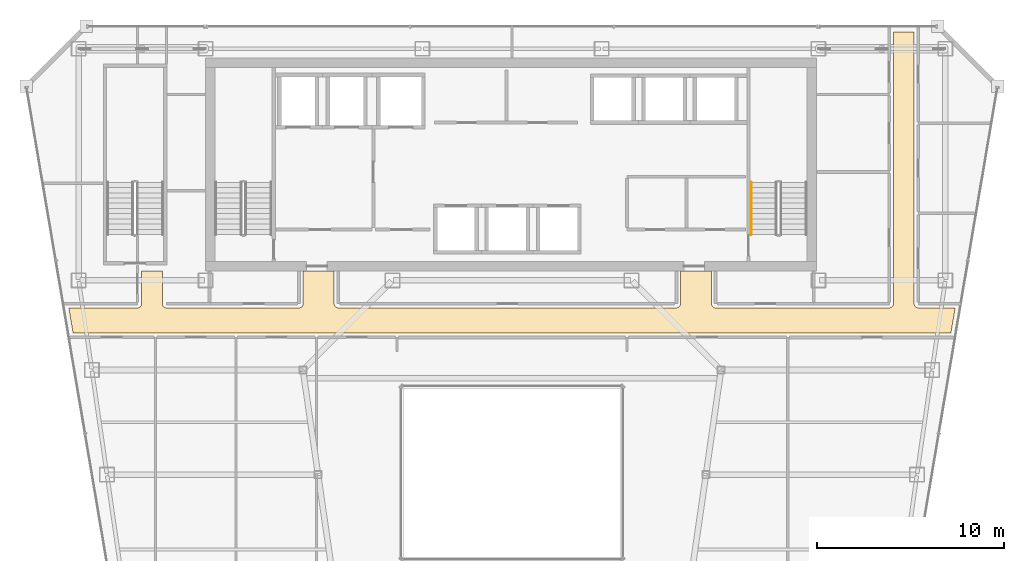
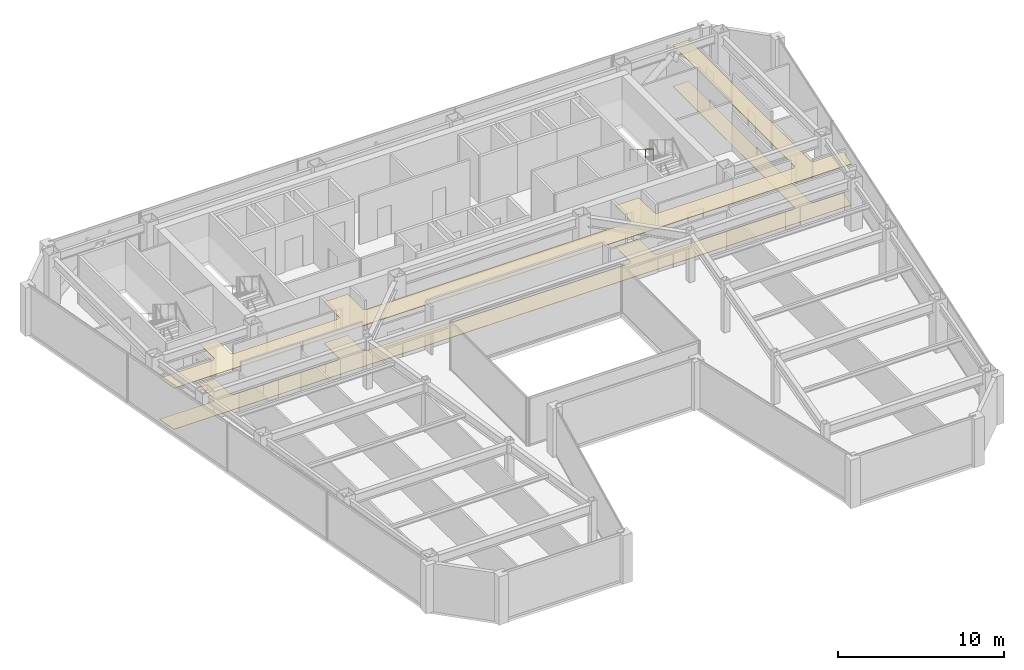
# One storey, part 35 of 36: 2 coverings, 1 railing.
"""IFC4 building model written with IfcOpenShell, lengths in metres."""

from ifc_helpers import new_model, si_unit, direction, frame, origin, origin_2d, place, context, subcontext, project, spatial, polyline, circle, outline, extrude, material, layer, layer_set, type_object, element, save


model = new_model("IFC4")

# Units and contexts
model_context = context("Model", 3, precision=1e-05, world=origin(), true_north=direction((0.0, 1.0)))
body_context = subcontext(model_context, "Body", "Model", "MODEL_VIEW")
ifc_project = project(units=[si_unit("LENGTHUNIT", "METRE"), si_unit("AREAUNIT", "SQUARE_METRE"), si_unit("VOLUMEUNIT", "CUBIC_METRE"), si_unit("PLANEANGLEUNIT", "RADIAN"), si_unit("MASSUNIT", "GRAM", prefix="KILO")], contexts=[model_context])

# Site, building, storey
site_placement = place(None, origin())
site = spatial("IfcSite", under=ifc_project, at=site_placement, CompositionType="ELEMENT")
building_placement = place(site_placement, origin())
building = spatial("IfcBuilding", under=site, at=building_placement, Name="Saevonmaru Cultural Tower", CompositionType="ELEMENT")
storey_placement = place(building_placement, frame((0.0, 0.0, 198.0)))
storey = spatial("IfcBuildingStorey", under=building, at=storey_placement, Name="L45", CompositionType="ELEMENT", Elevation=198.0)

# Coverings
ifc_material_1 = material(Name="Mineral Fibre Acoustic Ceiling", Category="gypsum")
ifc_layer_1 = layer(ifc_material_1, 0.044921875, Name="Mineral Fibre Acoustic Ceiling")
ifc_layer_set_1 = layer_set([ifc_layer_1], Name="Mineral Fibre Acoustic Ceiling")
covering_type_1 = type_object("IfcCoveringType", Name="CV-CEIL-ACOUSTIC", PredefinedType="CEILING", material=ifc_layer_set_1)
covering_1_placement = place(storey_placement, frame((0.0, 0.0, 3.0)))
element("IfcCovering", 1, at=covering_1_placement, inside=storey, type_object=covering_type_1, Name="L45 Corridor Acoustic Ceiling", PredefinedType="CEILING", context=body_context, shape_type="SweptSolid", body=[
    extrude(outline(polyline([(6.5029296875, 39.570068359375), (6.27294921875, 40.929931640625), (9.949951171875, 40.929931640625), (9.971923828125, 40.930908203125), (9.992919921875, 40.93408203125), (10.013916015625, 40.93896484375), (10.033935546875, 40.947021484375), (10.053955078125, 40.9560546875), (10.072021484375, 40.967041015625), (10.090087890625, 40.97998046875), (10.10595703125, 40.993896484375), (10.1201171875, 41.010009765625), (10.133056640625, 41.028076171875), (10.14404296875, 41.0458984375), (10.153076171875, 41.06591796875), (10.160888671875, 41.0859375), (10.166015625, 41.10693359375), (10.1689453125, 41.1279296875), (10.169921875, 41.14990234375), (10.169921875, 42.889892578125), (11.280029296875, 42.889892578125), (11.280029296875, 41.14990234375), (11.281005859375, 41.1279296875), (11.283935546875, 41.10693359375), (11.2890625, 41.0859375), (11.297119140625, 41.06591796875), (11.305908203125, 41.0458984375), (11.31689453125, 41.028076171875), (11.330078125, 41.010009765625), (11.343994140625, 40.993896484375), (11.360107421875, 40.97998046875), (11.3779296875, 40.967041015625), (11.39599609375, 40.9560546875), (11.416015625, 40.947021484375), (11.43603515625, 40.93896484375), (11.45703125, 40.93408203125), (11.47802734375, 40.930908203125), (11.5, 40.929931640625), (18.60009765625, 40.929931640625), (18.6220703125, 40.930908203125), (18.64306640625, 40.93408203125), (18.6640625, 40.93896484375), (18.68408203125, 40.947021484375), (18.7041015625, 40.9560546875), (18.721923828125, 40.967041015625), (18.739990234375, 40.97998046875), (18.756103515625, 40.993896484375), (18.77001953125, 41.010009765625), (18.782958984375, 41.028076171875), (18.7939453125, 41.0458984375), (18.802978515625, 41.06591796875), (18.81103515625, 41.0859375), (18.81591796875, 41.10693359375), (18.819091796875, 41.1279296875), (18.820068359375, 41.14990234375), (18.820068359375, 42.889892578125), (20.47998046875, 42.889892578125), (20.47998046875, 41.14990234375), (20.48095703125, 41.1279296875), (20.48388671875, 41.10693359375), (20.489013671875, 41.0859375), (20.4970703125, 41.06591796875), (20.506103515625, 41.0458984375), (20.51708984375, 41.028076171875), (20.530029296875, 41.010009765625), (20.5439453125, 40.993896484375), (20.56005859375, 40.97998046875), (20.577880859375, 40.967041015625), (20.595947265625, 40.9560546875), (20.615966796875, 40.947021484375), (20.635986328125, 40.93896484375), (20.656982421875, 40.93408203125), (20.677978515625, 40.930908203125), (20.699951171875, 40.929931640625), (38.800048828125, 40.929931640625), (38.822021484375, 40.930908203125), (38.843017578125, 40.93408203125), (38.864013671875, 40.93896484375), (38.884033203125, 40.947021484375), (38.904052734375, 40.9560546875), (38.922119140625, 40.967041015625), (38.93994140625, 40.97998046875), (38.9560546875, 40.993896484375), (38.969970703125, 41.010009765625), (38.98291015625, 41.028076171875), (38.993896484375, 41.0458984375), (39.0029296875, 41.06591796875), (39.010986328125, 41.0859375), (39.01611328125, 41.10693359375), (39.01904296875, 41.1279296875), (39.02001953125, 41.14990234375), (39.02001953125, 42.889892578125), (40.679931640625, 42.889892578125), (40.679931640625, 41.14990234375), (40.680908203125, 41.1279296875), (40.68408203125, 41.10693359375), (40.68896484375, 41.0859375), (40.697021484375, 41.06591796875), (40.7060546875, 41.0458984375), (40.717041015625, 41.028076171875), (40.72998046875, 41.010009765625), (40.743896484375, 40.993896484375), (40.760009765625, 40.97998046875), (40.778076171875, 40.967041015625), (40.7958984375, 40.9560546875), (40.81591796875, 40.947021484375), (40.8359375, 40.93896484375), (40.85693359375, 40.93408203125), (40.8779296875, 40.930908203125), (40.89990234375, 40.929931640625), (50.199951171875, 40.929931640625), (50.221923828125, 40.930908203125), (50.242919921875, 40.93408203125), (50.263916015625, 40.93896484375), (50.283935546875, 40.947021484375), (50.303955078125, 40.9560546875), (50.322021484375, 40.967041015625), (50.340087890625, 40.97998046875), (50.35595703125, 40.993896484375), (50.3701171875, 41.010009765625), (50.383056640625, 41.028076171875), (50.39404296875, 41.0458984375), (50.403076171875, 41.06591796875), (50.410888671875, 41.0859375), (50.416015625, 41.10693359375), (50.4189453125, 41.1279296875), (50.419921875, 41.14990234375), (50.419921875, 55.699951171875), (51.530029296875, 55.699951171875), (51.530029296875, 41.14990234375), (51.531005859375, 41.1279296875), (51.533935546875, 41.10693359375), (51.5390625, 41.0859375), (51.547119140625, 41.06591796875), (51.555908203125, 41.0458984375), (51.56689453125, 41.028076171875), (51.580078125, 41.010009765625), (51.593994140625, 40.993896484375), (51.610107421875, 40.97998046875), (51.6279296875, 40.967041015625), (51.64599609375, 40.9560546875), (51.666015625, 40.947021484375), (51.68603515625, 40.93896484375), (51.70703125, 40.93408203125), (51.72802734375, 40.930908203125), (51.75, 40.929931640625), (53.72705078125, 40.929931640625), (53.4970703125, 39.570068359375), (6.5029296875, 39.570068359375)])), origin(), (0.0, 0.0, 1.0), 0.044921875),
])
ifc_material_2 = material(Name="Honed Granite Terrazzo", Category="masonry")
ifc_layer_2 = layer(ifc_material_2, 0.030029296875, Name="Honed Granite Terrazzo")
ifc_layer_set_2 = layer_set([ifc_layer_2], Name="Honed Granite Terrazzo")
covering_type_2 = type_object("IfcCoveringType", Name="CV-FLR-TERRAZZO", PredefinedType="FLOORING", material=ifc_layer_set_2)
covering_2_placement = place(storey_placement, origin())
element("IfcCovering", 2, at=covering_2_placement, inside=storey, type_object=covering_type_2, Name="L45 Corridor Terrazzo Flooring", PredefinedType="FLOORING", context=body_context, shape_type="SweptSolid", body=[
    extrude(outline(polyline([(6.5029296875, 39.570068359375), (6.27294921875, 40.929931640625), (9.949951171875, 40.929931640625), (9.971923828125, 40.930908203125), (9.992919921875, 40.93408203125), (10.013916015625, 40.93896484375), (10.033935546875, 40.947021484375), (10.053955078125, 40.9560546875), (10.072021484375, 40.967041015625), (10.090087890625, 40.97998046875), (10.10595703125, 40.993896484375), (10.1201171875, 41.010009765625), (10.133056640625, 41.028076171875), (10.14404296875, 41.0458984375), (10.153076171875, 41.06591796875), (10.160888671875, 41.0859375), (10.166015625, 41.10693359375), (10.1689453125, 41.1279296875), (10.169921875, 41.14990234375), (10.169921875, 42.889892578125), (11.280029296875, 42.889892578125), (11.280029296875, 41.14990234375), (11.281005859375, 41.1279296875), (11.283935546875, 41.10693359375), (11.2890625, 41.0859375), (11.297119140625, 41.06591796875), (11.305908203125, 41.0458984375), (11.31689453125, 41.028076171875), (11.330078125, 41.010009765625), (11.343994140625, 40.993896484375), (11.360107421875, 40.97998046875), (11.3779296875, 40.967041015625), (11.39599609375, 40.9560546875), (11.416015625, 40.947021484375), (11.43603515625, 40.93896484375), (11.45703125, 40.93408203125), (11.47802734375, 40.930908203125), (11.5, 40.929931640625), (18.60009765625, 40.929931640625), (18.6220703125, 40.930908203125), (18.64306640625, 40.93408203125), (18.6640625, 40.93896484375), (18.68408203125, 40.947021484375), (18.7041015625, 40.9560546875), (18.721923828125, 40.967041015625), (18.739990234375, 40.97998046875), (18.756103515625, 40.993896484375), (18.77001953125, 41.010009765625), (18.782958984375, 41.028076171875), (18.7939453125, 41.0458984375), (18.802978515625, 41.06591796875), (18.81103515625, 41.0859375), (18.81591796875, 41.10693359375), (18.819091796875, 41.1279296875), (18.820068359375, 41.14990234375), (18.820068359375, 42.889892578125), (20.47998046875, 42.889892578125), (20.47998046875, 41.14990234375), (20.48095703125, 41.1279296875), (20.48388671875, 41.10693359375), (20.489013671875, 41.0859375), (20.4970703125, 41.06591796875), (20.506103515625, 41.0458984375), (20.51708984375, 41.028076171875), (20.530029296875, 41.010009765625), (20.5439453125, 40.993896484375), (20.56005859375, 40.97998046875), (20.577880859375, 40.967041015625), (20.595947265625, 40.9560546875), (20.615966796875, 40.947021484375), (20.635986328125, 40.93896484375), (20.656982421875, 40.93408203125), (20.677978515625, 40.930908203125), (20.699951171875, 40.929931640625), (38.800048828125, 40.929931640625), (38.822021484375, 40.930908203125), (38.843017578125, 40.93408203125), (38.864013671875, 40.93896484375), (38.884033203125, 40.947021484375), (38.904052734375, 40.9560546875), (38.922119140625, 40.967041015625), (38.93994140625, 40.97998046875), (38.9560546875, 40.993896484375), (38.969970703125, 41.010009765625), (38.98291015625, 41.028076171875), (38.993896484375, 41.0458984375), (39.0029296875, 41.06591796875), (39.010986328125, 41.0859375), (39.01611328125, 41.10693359375), (39.01904296875, 41.1279296875), (39.02001953125, 41.14990234375), (39.02001953125, 42.889892578125), (40.679931640625, 42.889892578125), (40.679931640625, 41.14990234375), (40.680908203125, 41.1279296875), (40.68408203125, 41.10693359375), (40.68896484375, 41.0859375), (40.697021484375, 41.06591796875), (40.7060546875, 41.0458984375), (40.717041015625, 41.028076171875), (40.72998046875, 41.010009765625), (40.743896484375, 40.993896484375), (40.760009765625, 40.97998046875), (40.778076171875, 40.967041015625), (40.7958984375, 40.9560546875), (40.81591796875, 40.947021484375), (40.8359375, 40.93896484375), (40.85693359375, 40.93408203125), (40.8779296875, 40.930908203125), (40.89990234375, 40.929931640625), (50.199951171875, 40.929931640625), (50.221923828125, 40.930908203125), (50.242919921875, 40.93408203125), (50.263916015625, 40.93896484375), (50.283935546875, 40.947021484375), (50.303955078125, 40.9560546875), (50.322021484375, 40.967041015625), (50.340087890625, 40.97998046875), (50.35595703125, 40.993896484375), (50.3701171875, 41.010009765625), (50.383056640625, 41.028076171875), (50.39404296875, 41.0458984375), (50.403076171875, 41.06591796875), (50.410888671875, 41.0859375), (50.416015625, 41.10693359375), (50.4189453125, 41.1279296875), (50.419921875, 41.14990234375), (50.419921875, 55.699951171875), (51.530029296875, 55.699951171875), (51.530029296875, 41.14990234375), (51.531005859375, 41.1279296875), (51.533935546875, 41.10693359375), (51.5390625, 41.0859375), (51.547119140625, 41.06591796875), (51.555908203125, 41.0458984375), (51.56689453125, 41.028076171875), (51.580078125, 41.010009765625), (51.593994140625, 40.993896484375), (51.610107421875, 40.97998046875), (51.6279296875, 40.967041015625), (51.64599609375, 40.9560546875), (51.666015625, 40.947021484375), (51.68603515625, 40.93896484375), (51.70703125, 40.93408203125), (51.72802734375, 40.930908203125), (51.75, 40.929931640625), (53.72705078125, 40.929931640625), (53.4970703125, 39.570068359375), (6.5029296875, 39.570068359375)])), origin(), (0.0, 0.0, 1.0), 0.030029296875),
])

# Railing
ifc_material_3 = material(Name="Satin Bronze Anodised Aluminium", Category="aluminium")
railing_type = type_object("IfcRailingType", Name="RL-STAIR-HANDRAIL", PredefinedType="HANDRAIL", material=ifc_material_3)
railing_placement = place(storey_placement, frame((42.800048828125, 47.64990234375, 2.07275390625)))
element("IfcRailing", 3, at=railing_placement, inside=storey, type_object=railing_type, Name="L45 ST-2 stair handrail 2", PredefinedType="HANDRAIL", context=body_context, shape_type="SweptSolid", body=[
    extrude(circle(Radius=0.02392578125, at=origin_2d()), frame((0.0, 0.0, 0.8759765625), z_axis=(0.0, -0.851069175582, 0.525053576669), x_axis=(1.0, 0.0, 0.0)), (0.0, 0.0, 1.0), 3.289794921875),
    extrude(circle(Radius=0.02099609375, at=origin_2d()), origin(), (0.0, 0.0, 1.0), 0.851806640625),
    extrude(circle(Radius=0.02099609375, at=origin_2d()), frame((0.0, -0.933349609375, 0.57568359375)), (0.0, 0.0, 1.0), 0.851806640625),
    extrude(circle(Radius=0.02099609375, at=origin_2d()), frame((0.0, -1.866455078125, 1.151611328125)), (0.0, 0.0, 1.0), 0.851806640625),
    extrude(circle(Radius=0.02099609375, at=origin_2d()), frame((0.0, -2.7998046875, 1.727294921875)), (0.0, 0.0, 1.0), 0.851806640625),
])

save(model, "model.ifc")
